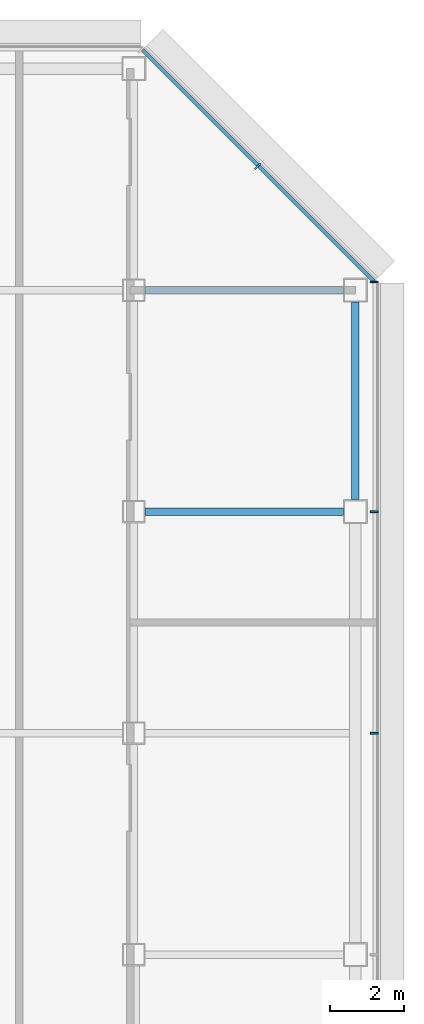
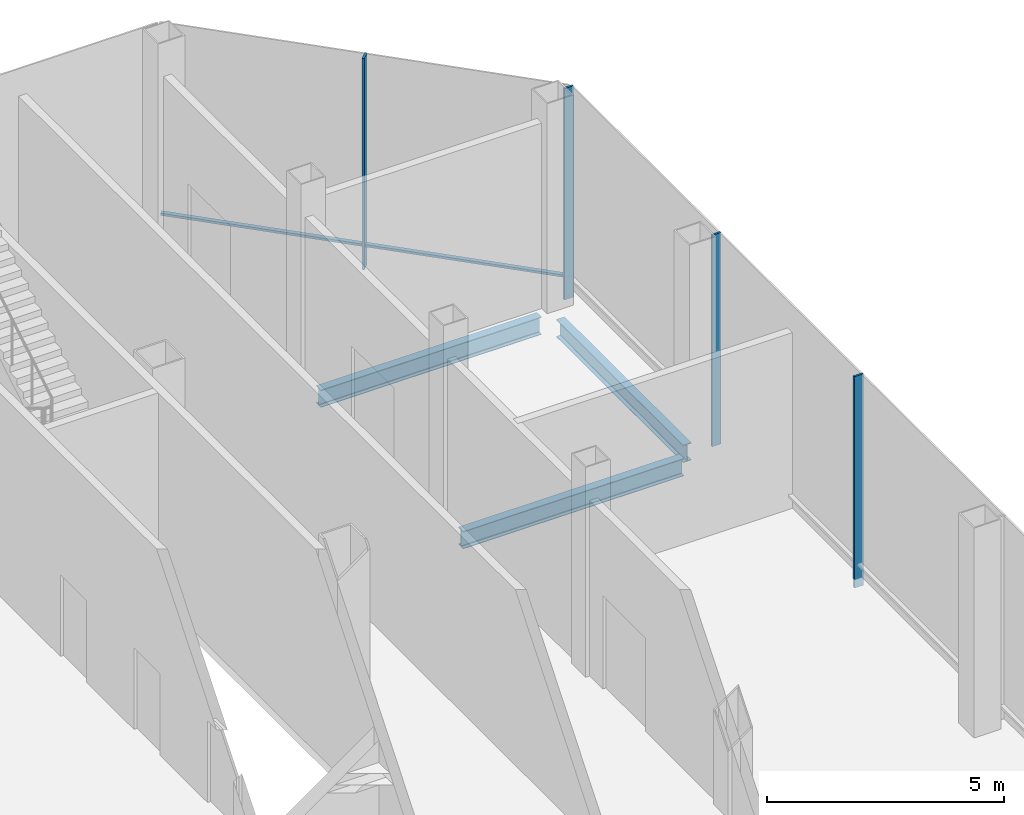
# One storey, part 16 of 25: 5 members, 3 beams, 2 elements without a shape of their own.
"""IFC4 building model written with IfcOpenShell, lengths in metres."""

from ifc_helpers import new_model, si_unit, direction, frame, origin, origin_2d, place, context, subcontext, project, spatial, rectangle, i_section, extrude, material, material_profile, profile_set, type_object, element, aggregate, save


model = new_model("IFC4")

# Units and contexts
model_context = context("Model", 3, precision=1e-05, world=origin(), true_north=direction((0.0, 1.0)))
body_context = subcontext(model_context, "Body", "Model", "MODEL_VIEW")
ifc_project = project(units=[si_unit("LENGTHUNIT", "METRE"), si_unit("AREAUNIT", "SQUARE_METRE"), si_unit("VOLUMEUNIT", "CUBIC_METRE"), si_unit("PLANEANGLEUNIT", "RADIAN"), si_unit("MASSUNIT", "GRAM", prefix="KILO")], contexts=[model_context])

# Site, building, storey
site_placement = place(None, origin())
site = spatial("IfcSite", under=ifc_project, at=site_placement, CompositionType="ELEMENT")
building_placement = place(site_placement, origin())
building = spatial("IfcBuilding", under=site, at=building_placement, Name="Sorahane Residences", CompositionType="ELEMENT")
storey_placement = place(building_placement, frame((0.0, 0.0, 210.0)))
storey = spatial("IfcBuildingStorey", under=building, at=storey_placement, Name="L49", CompositionType="ELEMENT", Elevation=210.0)

# Curtain wall, members
ifc_material_1 = material(Name="Dark low-e glass and black anodised aluminium", Category="aluminium")
curtain_wall_type = type_object("IfcCurtainWallType", Name="Curtain wall CW-4 Sky floor frameless wall", PredefinedType="NOTDEFINED", material=ifc_material_1)
curtain_wall_1_placement = place(storey_placement, origin())
curtain_wall_1 = element("IfcCurtainWall", 1, at=curtain_wall_1_placement, inside=storey, type_object=curtain_wall_type, Name="CW-4 curtain wall L49 E1", PredefinedType="NOTDEFINED")
ifc_material_2 = material(Name="Black anodised aluminium", Category="aluminium")
ifc_material_profile_1 = material_profile(ifc_material_2, rectangle(XDim=0.219970703125, YDim=0.050048828125, at=origin_2d()), Name="Curtain wall mullion CW-4 black anodised aluminium 50x220")
ifc_profile_set_1 = profile_set([ifc_material_profile_1], Name="Black anodised aluminium")
member_type_1 = type_object("IfcMemberType", Name="Curtain wall mullion CW-4 black anodised aluminium 50x220", PredefinedType="MULLION", material=ifc_profile_set_1)
member_1_placement = place(storey_placement, frame((54.510009765625, 30.0, -0.219970703125), z_axis=(0.0, 0.0, 1.0), x_axis=(1.0, 0.0, 0.0)))
member_1 = element("IfcMember", 2, at=member_1_placement, type_object=member_type_1, Name="CW-4 mullion L49 E1.5", PredefinedType="MULLION", context=body_context, shape_type="SweptSolid", body=[
    extrude(rectangle(XDim=0.219970703125, YDim=0.050048828125, at=origin_2d()), origin(), (0.0, 0.0, 1.0), 5.43994140625),
])
member_2_placement = place(storey_placement, frame((54.510009765625, 36.0, -0.219970703125), z_axis=(0.0, 0.0, 1.0), x_axis=(1.0, 0.0, 0.0)))
member_2 = element("IfcMember", 3, at=member_2_placement, type_object=member_type_1, Name="CW-4 mullion L49 E1.6", PredefinedType="MULLION", context=body_context, shape_type="SweptSolid", body=[
    extrude(rectangle(XDim=0.219970703125, YDim=0.050048828125, at=origin_2d()), origin(), (0.0, 0.0, 1.0), 5.43994140625),
])
member_3_placement = place(storey_placement, frame((54.510009765625, 42.2236328125, -0.219970703125), z_axis=(0.0, 0.0, 1.0), x_axis=(1.0, 0.0, 0.0)))
member_3 = element("IfcMember", 4, at=member_3_placement, type_object=member_type_1, Name="CW-4 mullion L49 E1.7", PredefinedType="MULLION", context=body_context, shape_type="SweptSolid", body=[
    extrude(rectangle(XDim=0.219970703125, YDim=0.050048828125, at=origin_2d()), origin(), (0.0, 0.0, 1.0), 5.43994140625),
])
aggregate(curtain_wall_1, [member_1, member_2, member_3])

curtain_wall_2_placement = place(storey_placement, origin())
curtain_wall_2 = element("IfcCurtainWall", 5, at=curtain_wall_2_placement, inside=storey, type_object=curtain_wall_type, Name="CW-4 curtain wall L49 NE1", PredefinedType="NOTDEFINED")
member_4_placement = place(storey_placement, frame((51.360595703125, 45.360595703125, -0.219970703125), z_axis=(0.0, 0.0, 1.0), x_axis=(0.707106781187, 0.707106781187, 0.0)))
member_4 = element("IfcMember", 6, at=member_4_placement, type_object=member_type_1, Name="CW-4 mullion L49 NE1.2", PredefinedType="MULLION", context=body_context, shape_type="SweptSolid", body=[
    extrude(rectangle(XDim=0.219970703125, YDim=0.050048828125, at=origin_2d()), origin(), (0.0, 0.0, 1.0), 5.43994140625),
])
ifc_material_3 = material(Name="Black anodised aluminium", Category="aluminium")
ifc_material_profile_2 = material_profile(ifc_material_3, rectangle(XDim=0.10009765625, YDim=0.06005859375, at=origin_2d()), Name="Curtain wall transom CW-4 black anodised aluminium 60x100")
ifc_profile_set_2 = profile_set([ifc_material_profile_2], Name="Black anodised aluminium")
member_type_2 = type_object("IfcMemberType", Name="Curtain wall transom CW-4 black anodised aluminium 60x100", PredefinedType="USERDEFINED", material=ifc_profile_set_2)
member_5_placement = place(storey_placement, frame((54.51513671875, 42.234375, 0.35009765625), z_axis=(-0.707106781187, 0.707106781187, 0.0), x_axis=(-0.707106781187, -0.707106781187, 0.0)))
member_5 = element("IfcMember", 7, at=member_5_placement, type_object=member_type_2, Name="CW-4 transom L49 NE1", ObjectType="TRANSOM", PredefinedType="USERDEFINED", context=body_context, shape_type="SweptSolid", body=[
    extrude(rectangle(XDim=0.10009765625, YDim=0.06005859375, at=origin_2d()), origin(), (0.0, 0.0, 1.0), 8.88232421875),
])
aggregate(curtain_wall_2, [member_4, member_5])

# Beams
ifc_material_4 = material(Name="Steel Q355B", Category="steel")
ifc_material_profile_3 = material_profile(ifc_material_4, i_section(OverallWidth=0.199951171875, OverallDepth=0.449951171875, WebThickness=0.009033203125, FlangeThickness=0.013916015625, FilletRadius=0.02001953125, at=origin_2d()), Name="HN 450x200x9x14")
ifc_profile_set_3 = profile_set([ifc_material_profile_3], Name="Steel Q355B")
beam_type = type_object("IfcBeamType", Name="Steel floor beam HN 450x200x9x14 Q355B", PredefinedType="BEAM", material=ifc_profile_set_3)
beam_1_placement = place(storey_placement, frame((48.300048828125, 36.0, -0.445068359375), z_axis=(1.0, 0.0, 0.0), x_axis=(0.0, 1.0, 0.0)))
element("IfcBeam", 8, at=beam_1_placement, inside=storey, type_object=beam_type, Name="Beam L49 014", PredefinedType="BEAM", context=body_context, shape_type="SweptSolid", body=[
    extrude(i_section(OverallWidth=0.199951171875, OverallDepth=0.449951171875, WebThickness=0.009033203125, FlangeThickness=0.013916015625, FilletRadius=0.02001953125, at=origin_2d()), origin(), (0.0, 0.0, 1.0), 5.375),
])
beam_2_placement = place(storey_placement, frame((54.0, 36.324951171875, -0.445068359375), z_axis=(0.0, 1.0, 0.0), x_axis=(-1.0, 0.0, 0.0)))
element("IfcBeam", 9, at=beam_2_placement, inside=storey, type_object=beam_type, Name="Beam L49 067", PredefinedType="BEAM", context=body_context, shape_type="SweptSolid", body=[
    extrude(i_section(OverallWidth=0.199951171875, OverallDepth=0.449951171875, WebThickness=0.009033203125, FlangeThickness=0.013916015625, FilletRadius=0.02001953125, at=origin_2d()), origin(), (0.0, 0.0, 1.0), 5.35009765625),
])
beam_3_placement = place(storey_placement, frame((48.300048828125, 42.0, -0.445068359375), z_axis=(1.0, 0.0, 0.0), x_axis=(0.0, 1.0, 0.0)))
element("IfcBeam", 10, at=beam_3_placement, inside=storey, type_object=beam_type, Name="Beam L49 092", PredefinedType="BEAM", context=body_context, shape_type="SweptSolid", body=[
    extrude(i_section(OverallWidth=0.199951171875, OverallDepth=0.449951171875, WebThickness=0.009033203125, FlangeThickness=0.013916015625, FilletRadius=0.02001953125, at=origin_2d()), origin(), (0.0, 0.0, 1.0), 5.375),
])

save(model, "model.ifc")
